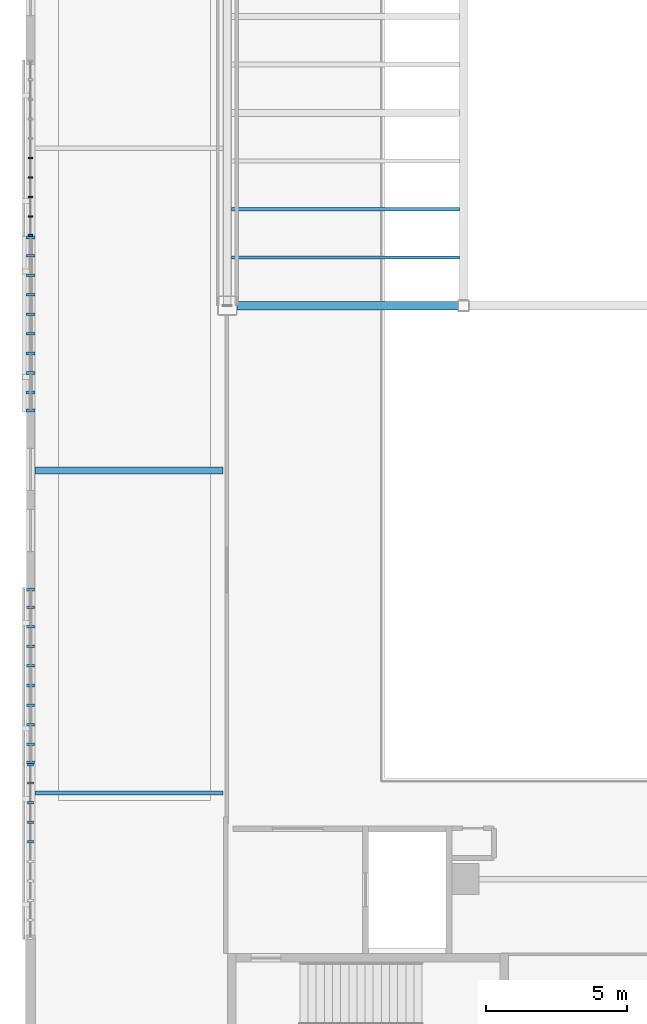
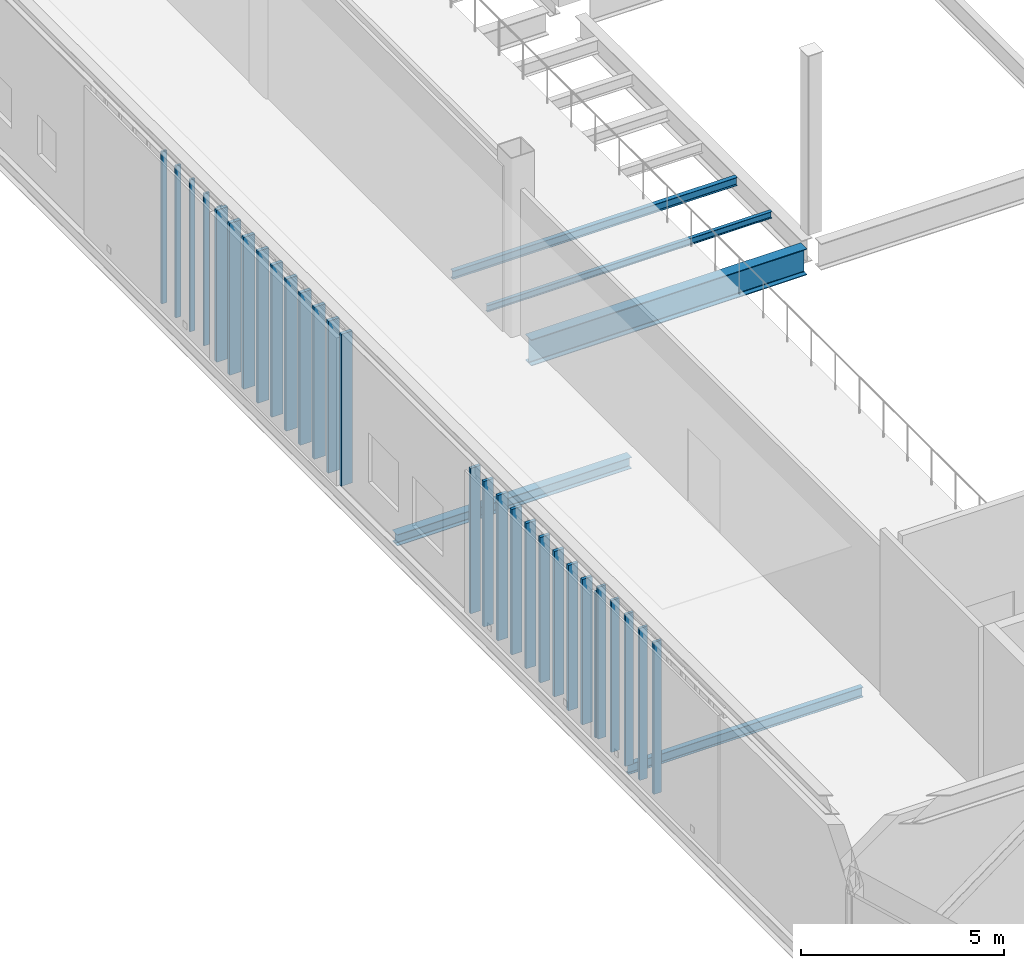
# One storey, part 20 of 127: 30 members, 5 beams, 4 elements without a shape of their own.
"""IFC4 building model written with IfcOpenShell, lengths in metres."""

from ifc_helpers import new_model, si_unit, direction, frame, origin, origin_2d, place, context, subcontext, project, spatial, rectangle, i_section, extrude, material, material_profile, profile_set, type_object, element, aggregate, save


model = new_model("IFC4")

# Units and contexts
model_context = context("Model", 3, precision=1e-05, world=origin(), true_north=direction((0.0, 1.0)))
body_context = subcontext(model_context, "Body", "Model", "MODEL_VIEW")
ifc_project = project(units=[si_unit("LENGTHUNIT", "METRE"), si_unit("AREAUNIT", "SQUARE_METRE"), si_unit("VOLUMEUNIT", "CUBIC_METRE"), si_unit("PLANEANGLEUNIT", "RADIAN"), si_unit("MASSUNIT", "GRAM", prefix="KILO")], contexts=[model_context])

# Site, building, storey
site_placement = place(None, origin())
site = spatial("IfcSite", under=ifc_project, at=site_placement, CompositionType="ELEMENT")
building_placement = place(site_placement, origin())
building = spatial("IfcBuilding", under=site, at=building_placement, Name="Larkvane Passage Sports Hall", CompositionType="ELEMENT")
storey_placement = place(building_placement, frame((0.0, 0.0, 5.39990234375)))
storey = spatial("IfcBuildingStorey", under=building, at=storey_placement, Name="L01", CompositionType="ELEMENT", Elevation=5.39990234375)

# Beam
ifc_material_1 = material(Name="Steel S460N", Category="steel")
ifc_material_profile_1 = material_profile(ifc_material_1, i_section(OverallWidth=0.300048828125, OverallDepth=0.7919921875, WebThickness=0.013916015625, FlangeThickness=0.02197265625, FilletRadius=0.02197265625, at=origin_2d()), Name="H-792x300x14x22")
ifc_profile_set_1 = profile_set([ifc_material_profile_1], Name="Steel S460N")
beam_type_1 = type_object("IfcBeamType", Name="BM-STL-H792", PredefinedType="BEAM", material=ifc_profile_set_1)
beam_1_placement = place(storey_placement, frame((35.14990234375, 51.60009765625, -0.81591796875), z_axis=(1.0, 0.0, 0.0), x_axis=(0.0, 1.0, 0.0)))
element("IfcBeam", 1, at=beam_1_placement, inside=storey, type_object=beam_type_1, Name="Girder BM5-X-L01-G-0400", PredefinedType="BEAM", context=body_context, shape_type="SweptSolid", body=[
    extrude(i_section(OverallWidth=0.300048828125, OverallDepth=0.7919921875, WebThickness=0.013916015625, FlangeThickness=0.02197265625, FilletRadius=0.02197265625, at=origin_2d()), origin(), (0.0, 0.0, 1.0), 7.85009765625),
])

# Curtain wall, members
ifc_material_2 = material(Name="Thermally broken aluminium and low-E glazing", Category="aluminium")
curtain_wall_type_1 = type_object("IfcCurtainWallType", Name="CW-CLINIC", PredefinedType="USERDEFINED", material=ifc_material_2)
curtain_wall_1_placement = place(storey_placement, origin())
curtain_wall_1 = element("IfcCurtainWall", 2, at=curtain_wall_1_placement, inside=storey, type_object=curtain_wall_type_1, Name="Curtain wall CW5-L01-035", ObjectType="UNITISED CURTAIN WALL", PredefinedType="USERDEFINED")
ifc_material_3 = material(Name="Anodised aluminium 6063-T6", Category="aluminium")
ifc_material_profile_2 = material_profile(ifc_material_3, rectangle(XDim=0.10009765625, YDim=0.320068359375, at=origin_2d()), Name="ALU-MUL-100x320")
ifc_profile_set_2 = profile_set([ifc_material_profile_2], Name="Anodised aluminium 6063-T6")
member_type_1 = type_object("IfcMemberType", Name="CW-MUL-100x320", PredefinedType="MULLION", material=ifc_profile_set_2)
member_1_placement = place(storey_placement, frame((27.800048828125, 47.8681640625, 0.0), z_axis=(0.0, 0.0, 1.0), x_axis=(0.0, 1.0, 0.0)))
member_1 = element("IfcMember", 3, at=member_1_placement, type_object=member_type_1, Name="CW-05 mullion 1", PredefinedType="MULLION", context=body_context, shape_type="SweptSolid", body=[
    extrude(rectangle(XDim=0.10009765625, YDim=0.320068359375, at=origin_2d()), origin(), (0.0, 0.0, 1.0), 4.578125),
])
member_2_placement = place(storey_placement, frame((27.800048828125, 48.51318359375, 0.0), z_axis=(0.0, 0.0, 1.0), x_axis=(0.0, 1.0, 0.0)))
member_2 = element("IfcMember", 4, at=member_2_placement, type_object=member_type_1, Name="CW-05 mullion 2", PredefinedType="MULLION", context=body_context, shape_type="SweptSolid", body=[
    extrude(rectangle(XDim=0.10009765625, YDim=0.320068359375, at=origin_2d()), origin(), (0.0, 0.0, 1.0), 4.578125),
])
member_3_placement = place(storey_placement, frame((27.800048828125, 49.2080078125, 0.0), z_axis=(0.0, 0.0, 1.0), x_axis=(0.0, 1.0, 0.0)))
member_3 = element("IfcMember", 5, at=member_3_placement, type_object=member_type_1, Name="CW-05 mullion 3", PredefinedType="MULLION", context=body_context, shape_type="SweptSolid", body=[
    extrude(rectangle(XDim=0.10009765625, YDim=0.320068359375, at=origin_2d()), origin(), (0.0, 0.0, 1.0), 4.578125),
])
member_4_placement = place(storey_placement, frame((27.800048828125, 49.903076171875, 0.0), z_axis=(0.0, 0.0, 1.0), x_axis=(0.0, 1.0, 0.0)))
member_4 = element("IfcMember", 6, at=member_4_placement, type_object=member_type_1, Name="CW-05 mullion 4", PredefinedType="MULLION", context=body_context, shape_type="SweptSolid", body=[
    extrude(rectangle(XDim=0.10009765625, YDim=0.320068359375, at=origin_2d()), origin(), (0.0, 0.0, 1.0), 4.578125),
])
member_5_placement = place(storey_placement, frame((27.800048828125, 50.597900390625, 0.0), z_axis=(0.0, 0.0, 1.0), x_axis=(0.0, 1.0, 0.0)))
member_5 = element("IfcMember", 7, at=member_5_placement, type_object=member_type_1, Name="CW-05 mullion 5", PredefinedType="MULLION", context=body_context, shape_type="SweptSolid", body=[
    extrude(rectangle(XDim=0.10009765625, YDim=0.320068359375, at=origin_2d()), origin(), (0.0, 0.0, 1.0), 4.578125),
])
member_6_placement = place(storey_placement, frame((27.800048828125, 51.29296875, 0.0), z_axis=(0.0, 0.0, 1.0), x_axis=(0.0, 1.0, 0.0)))
member_6 = element("IfcMember", 8, at=member_6_placement, type_object=member_type_1, Name="CW-05 mullion 6", PredefinedType="MULLION", context=body_context, shape_type="SweptSolid", body=[
    extrude(rectangle(XDim=0.10009765625, YDim=0.320068359375, at=origin_2d()), origin(), (0.0, 0.0, 1.0), 4.578125),
])
member_7_placement = place(storey_placement, frame((27.800048828125, 51.98779296875, 0.0), z_axis=(0.0, 0.0, 1.0), x_axis=(0.0, 1.0, 0.0)))
member_7 = element("IfcMember", 9, at=member_7_placement, type_object=member_type_1, Name="CW-05 mullion 7", PredefinedType="MULLION", context=body_context, shape_type="SweptSolid", body=[
    extrude(rectangle(XDim=0.10009765625, YDim=0.320068359375, at=origin_2d()), origin(), (0.0, 0.0, 1.0), 4.578125),
])
member_8_placement = place(storey_placement, frame((27.800048828125, 52.682861328125, 0.0), z_axis=(0.0, 0.0, 1.0), x_axis=(0.0, 1.0, 0.0)))
member_8 = element("IfcMember", 10, at=member_8_placement, type_object=member_type_1, Name="CW-05 mullion 8", PredefinedType="MULLION", context=body_context, shape_type="SweptSolid", body=[
    extrude(rectangle(XDim=0.10009765625, YDim=0.320068359375, at=origin_2d()), origin(), (0.0, 0.0, 1.0), 4.578125),
])
member_9_placement = place(storey_placement, frame((27.800048828125, 53.377685546875, 0.0), z_axis=(0.0, 0.0, 1.0), x_axis=(0.0, 1.0, 0.0)))
member_9 = element("IfcMember", 11, at=member_9_placement, type_object=member_type_1, Name="CW-05 mullion 9", PredefinedType="MULLION", context=body_context, shape_type="SweptSolid", body=[
    extrude(rectangle(XDim=0.10009765625, YDim=0.320068359375, at=origin_2d()), origin(), (0.0, 0.0, 1.0), 4.578125),
])
member_10_placement = place(storey_placement, frame((27.800048828125, 54.022705078125, 0.0), z_axis=(0.0, 0.0, 1.0), x_axis=(0.0, 1.0, 0.0)))
member_10 = element("IfcMember", 12, at=member_10_placement, type_object=member_type_1, Name="CW-05 mullion 10", PredefinedType="MULLION", context=body_context, shape_type="SweptSolid", body=[
    extrude(rectangle(XDim=0.10009765625, YDim=0.320068359375, at=origin_2d()), origin(), (0.0, 0.0, 1.0), 4.578125),
])
aggregate(curtain_wall_1, [member_1, member_2, member_3, member_4, member_5, member_6, member_7, member_8, member_9, member_10])

curtain_wall_type_2 = type_object("IfcCurtainWallType", Name="CW-UNIT-COURT", PredefinedType="USERDEFINED", material=ifc_material_2)
curtain_wall_2_placement = place(storey_placement, origin())
curtain_wall_2 = element("IfcCurtainWall", 13, at=curtain_wall_2_placement, inside=storey, type_object=curtain_wall_type_2, Name="Curtain wall CW5-L01-036", ObjectType="UNITISED CURTAIN WALL", PredefinedType="USERDEFINED")
ifc_material_profile_3 = material_profile(ifc_material_3, rectangle(XDim=0.06005859375, YDim=0.14990234375, at=origin_2d()), Name="ALU-MUL-60x150")
ifc_profile_set_3 = profile_set([ifc_material_profile_3], Name="Anodised aluminium 6063-T6")
member_type_2 = type_object("IfcMemberType", Name="CW-MUL-60x150", PredefinedType="MULLION", material=ifc_profile_set_3)
member_11_placement = place(storey_placement, frame((27.800048828125, 54.102783203125, 0.0), z_axis=(0.0, 0.0, 1.0), x_axis=(0.0, 1.0, 0.0)))
member_11 = element("IfcMember", 14, at=member_11_placement, type_object=member_type_2, Name="CW-01 mullion 1", PredefinedType="MULLION", context=body_context, shape_type="SweptSolid", body=[
    extrude(rectangle(XDim=0.06005859375, YDim=0.14990234375, at=origin_2d()), origin(), (0.0, 0.0, 1.0), 4.578125),
])
member_12_placement = place(storey_placement, frame((27.800048828125, 54.767578125, 0.0), z_axis=(0.0, 0.0, 1.0), x_axis=(0.0, 1.0, 0.0)))
member_12 = element("IfcMember", 15, at=member_12_placement, type_object=member_type_2, Name="CW-01 mullion 2", PredefinedType="MULLION", context=body_context, shape_type="SweptSolid", body=[
    extrude(rectangle(XDim=0.06005859375, YDim=0.14990234375, at=origin_2d()), origin(), (0.0, 0.0, 1.0), 4.578125),
])
member_13_placement = place(storey_placement, frame((27.800048828125, 55.462646484375, 0.0), z_axis=(0.0, 0.0, 1.0), x_axis=(0.0, 1.0, 0.0)))
member_13 = element("IfcMember", 16, at=member_13_placement, type_object=member_type_2, Name="CW-01 mullion 3", PredefinedType="MULLION", context=body_context, shape_type="SweptSolid", body=[
    extrude(rectangle(XDim=0.06005859375, YDim=0.14990234375, at=origin_2d()), origin(), (0.0, 0.0, 1.0), 4.578125),
])
member_14_placement = place(storey_placement, frame((27.800048828125, 56.157470703125, 0.0), z_axis=(0.0, 0.0, 1.0), x_axis=(0.0, 1.0, 0.0)))
member_14 = element("IfcMember", 17, at=member_14_placement, type_object=member_type_2, Name="CW-01 mullion 4", PredefinedType="MULLION", context=body_context, shape_type="SweptSolid", body=[
    extrude(rectangle(XDim=0.06005859375, YDim=0.14990234375, at=origin_2d()), origin(), (0.0, 0.0, 1.0), 4.578125),
])
member_15_placement = place(storey_placement, frame((27.800048828125, 56.8525390625, 0.0), z_axis=(0.0, 0.0, 1.0), x_axis=(0.0, 1.0, 0.0)))
member_15 = element("IfcMember", 18, at=member_15_placement, type_object=member_type_2, Name="CW-01 mullion 5", PredefinedType="MULLION", context=body_context, shape_type="SweptSolid", body=[
    extrude(rectangle(XDim=0.06005859375, YDim=0.14990234375, at=origin_2d()), origin(), (0.0, 0.0, 1.0), 4.578125),
])
aggregate(curtain_wall_2, [member_11, member_12, member_13, member_14, member_15])

curtain_wall_type_3 = type_object("IfcCurtainWallType", Name="CW-UNIT-VEIL", PredefinedType="USERDEFINED", material=ifc_material_2)
curtain_wall_3_placement = place(storey_placement, origin())
curtain_wall_3 = element("IfcCurtainWall", 19, at=curtain_wall_3_placement, inside=storey, type_object=curtain_wall_type_3, Name="Curtain wall CW5-L01-033", ObjectType="UNITISED CURTAIN WALL", PredefinedType="USERDEFINED")
ifc_material_profile_4 = material_profile(ifc_material_3, rectangle(XDim=0.074951171875, YDim=0.22509765625, at=origin_2d()), Name="ALU-MUL-75x225")
ifc_profile_set_4 = profile_set([ifc_material_profile_4], Name="Anodised aluminium 6063-T6")
member_type_3 = type_object("IfcMemberType", Name="CW-MUL-75x225", PredefinedType="MULLION", material=ifc_profile_set_4)
member_16_placement = place(storey_placement, frame((27.800048828125, 32.529296875, 0.0), z_axis=(0.0, 0.0, 1.0), x_axis=(0.0, 1.0, 0.0)))
member_16 = element("IfcMember", 20, at=member_16_placement, type_object=member_type_3, Name="CW-02 mullion 6", PredefinedType="MULLION", context=body_context, shape_type="SweptSolid", body=[
    extrude(rectangle(XDim=0.074951171875, YDim=0.22509765625, at=origin_2d()), origin(), (0.0, 0.0, 1.0), 4.578125),
])
member_17_placement = place(storey_placement, frame((27.800048828125, 33.22412109375, 0.0), z_axis=(0.0, 0.0, 1.0), x_axis=(0.0, 1.0, 0.0)))
member_17 = element("IfcMember", 21, at=member_17_placement, type_object=member_type_3, Name="CW-02 mullion 7", PredefinedType="MULLION", context=body_context, shape_type="SweptSolid", body=[
    extrude(rectangle(XDim=0.074951171875, YDim=0.22509765625, at=origin_2d()), origin(), (0.0, 0.0, 1.0), 4.578125),
])
member_18_placement = place(storey_placement, frame((27.800048828125, 33.919189453125, 0.0), z_axis=(0.0, 0.0, 1.0), x_axis=(0.0, 1.0, 0.0)))
member_18 = element("IfcMember", 22, at=member_18_placement, type_object=member_type_3, Name="CW-02 mullion 8", PredefinedType="MULLION", context=body_context, shape_type="SweptSolid", body=[
    extrude(rectangle(XDim=0.074951171875, YDim=0.22509765625, at=origin_2d()), origin(), (0.0, 0.0, 1.0), 4.578125),
])
member_19_placement = place(storey_placement, frame((27.800048828125, 34.6142578125, 0.0), z_axis=(0.0, 0.0, 1.0), x_axis=(0.0, 1.0, 0.0)))
member_19 = element("IfcMember", 23, at=member_19_placement, type_object=member_type_3, Name="CW-02 mullion 9", PredefinedType="MULLION", context=body_context, shape_type="SweptSolid", body=[
    extrude(rectangle(XDim=0.074951171875, YDim=0.22509765625, at=origin_2d()), origin(), (0.0, 0.0, 1.0), 4.578125),
])
member_20_placement = place(storey_placement, frame((27.800048828125, 35.271484375, 0.0), z_axis=(0.0, 0.0, 1.0), x_axis=(0.0, 1.0, 0.0)))
member_20 = element("IfcMember", 24, at=member_20_placement, type_object=member_type_3, Name="CW-02 mullion 10", PredefinedType="MULLION", context=body_context, shape_type="SweptSolid", body=[
    extrude(rectangle(XDim=0.074951171875, YDim=0.22509765625, at=origin_2d()), origin(), (0.0, 0.0, 1.0), 4.578125),
])
aggregate(curtain_wall_3, [member_16, member_17, member_18, member_19, member_20])

curtain_wall_type_4 = type_object("IfcCurtainWallType", Name="CW-STICK-FOYER", PredefinedType="USERDEFINED", material=ifc_material_2)
curtain_wall_4_placement = place(storey_placement, origin())
curtain_wall_4 = element("IfcCurtainWall", 25, at=curtain_wall_4_placement, inside=storey, type_object=curtain_wall_type_4, Name="Curtain wall CW5-L01-034", ObjectType="STICK CURTAIN WALL", PredefinedType="USERDEFINED")
ifc_material_profile_5 = material_profile(ifc_material_3, rectangle(XDim=0.090087890625, YDim=0.280029296875, at=origin_2d()), Name="ALU-MUL-90x280")
ifc_profile_set_5 = profile_set([ifc_material_profile_5], Name="Anodised aluminium 6063-T6")
member_type_4 = type_object("IfcMemberType", Name="CW-MUL-90x280", PredefinedType="MULLION", material=ifc_profile_set_5)
member_21_placement = place(storey_placement, frame((27.800048828125, 35.35400390625, 0.0), z_axis=(0.0, 0.0, 1.0), x_axis=(0.0, 1.0, 0.0)))
member_21 = element("IfcMember", 26, at=member_21_placement, type_object=member_type_4, Name="CW-03 mullion 1", PredefinedType="MULLION", context=body_context, shape_type="SweptSolid", body=[
    extrude(rectangle(XDim=0.090087890625, YDim=0.280029296875, at=origin_2d()), origin(), (0.0, 0.0, 1.0), 4.380126953125),
])
member_22_placement = place(storey_placement, frame((27.800048828125, 36.004150390625, 0.0), z_axis=(0.0, 0.0, 1.0), x_axis=(0.0, 1.0, 0.0)))
member_22 = element("IfcMember", 27, at=member_22_placement, type_object=member_type_4, Name="CW-03 mullion 2", PredefinedType="MULLION", context=body_context, shape_type="SweptSolid", body=[
    extrude(rectangle(XDim=0.090087890625, YDim=0.280029296875, at=origin_2d()), origin(), (0.0, 0.0, 1.0), 4.380126953125),
])
member_23_placement = place(storey_placement, frame((27.800048828125, 36.698974609375, 0.0), z_axis=(0.0, 0.0, 1.0), x_axis=(0.0, 1.0, 0.0)))
member_23 = element("IfcMember", 28, at=member_23_placement, type_object=member_type_4, Name="CW-03 mullion 3", PredefinedType="MULLION", context=body_context, shape_type="SweptSolid", body=[
    extrude(rectangle(XDim=0.090087890625, YDim=0.280029296875, at=origin_2d()), origin(), (0.0, 0.0, 1.0), 4.380126953125),
])
member_24_placement = place(storey_placement, frame((27.800048828125, 37.39404296875, 0.0), z_axis=(0.0, 0.0, 1.0), x_axis=(0.0, 1.0, 0.0)))
member_24 = element("IfcMember", 29, at=member_24_placement, type_object=member_type_4, Name="CW-03 mullion 4", PredefinedType="MULLION", context=body_context, shape_type="SweptSolid", body=[
    extrude(rectangle(XDim=0.090087890625, YDim=0.280029296875, at=origin_2d()), origin(), (0.0, 0.0, 1.0), 4.380126953125),
])
member_25_placement = place(storey_placement, frame((27.800048828125, 38.0888671875, 0.0), z_axis=(0.0, 0.0, 1.0), x_axis=(0.0, 1.0, 0.0)))
member_25 = element("IfcMember", 30, at=member_25_placement, type_object=member_type_4, Name="CW-03 mullion 5", PredefinedType="MULLION", context=body_context, shape_type="SweptSolid", body=[
    extrude(rectangle(XDim=0.090087890625, YDim=0.280029296875, at=origin_2d()), origin(), (0.0, 0.0, 1.0), 4.380126953125),
])
member_26_placement = place(storey_placement, frame((27.800048828125, 38.783935546875, 0.0), z_axis=(0.0, 0.0, 1.0), x_axis=(0.0, 1.0, 0.0)))
member_26 = element("IfcMember", 31, at=member_26_placement, type_object=member_type_4, Name="CW-03 mullion 6", PredefinedType="MULLION", context=body_context, shape_type="SweptSolid", body=[
    extrude(rectangle(XDim=0.090087890625, YDim=0.280029296875, at=origin_2d()), origin(), (0.0, 0.0, 1.0), 4.380126953125),
])
member_27_placement = place(storey_placement, frame((27.800048828125, 39.478759765625, 0.0), z_axis=(0.0, 0.0, 1.0), x_axis=(0.0, 1.0, 0.0)))
member_27 = element("IfcMember", 32, at=member_27_placement, type_object=member_type_4, Name="CW-03 mullion 7", PredefinedType="MULLION", context=body_context, shape_type="SweptSolid", body=[
    extrude(rectangle(XDim=0.090087890625, YDim=0.280029296875, at=origin_2d()), origin(), (0.0, 0.0, 1.0), 4.380126953125),
])
member_28_placement = place(storey_placement, frame((27.800048828125, 40.173828125, 0.0), z_axis=(0.0, 0.0, 1.0), x_axis=(0.0, 1.0, 0.0)))
member_28 = element("IfcMember", 33, at=member_28_placement, type_object=member_type_4, Name="CW-03 mullion 8", PredefinedType="MULLION", context=body_context, shape_type="SweptSolid", body=[
    extrude(rectangle(XDim=0.090087890625, YDim=0.280029296875, at=origin_2d()), origin(), (0.0, 0.0, 1.0), 4.380126953125),
])
member_29_placement = place(storey_placement, frame((27.800048828125, 40.86865234375, 0.0), z_axis=(0.0, 0.0, 1.0), x_axis=(0.0, 1.0, 0.0)))
member_29 = element("IfcMember", 34, at=member_29_placement, type_object=member_type_4, Name="CW-03 mullion 9", PredefinedType="MULLION", context=body_context, shape_type="SweptSolid", body=[
    extrude(rectangle(XDim=0.090087890625, YDim=0.280029296875, at=origin_2d()), origin(), (0.0, 0.0, 1.0), 4.380126953125),
])
member_30_placement = place(storey_placement, frame((27.800048828125, 41.5185546875, 0.0), z_axis=(0.0, 0.0, 1.0), x_axis=(0.0, 1.0, 0.0)))
member_30 = element("IfcMember", 35, at=member_30_placement, type_object=member_type_4, Name="CW-03 mullion 10", PredefinedType="MULLION", context=body_context, shape_type="SweptSolid", body=[
    extrude(rectangle(XDim=0.090087890625, YDim=0.280029296875, at=origin_2d()), origin(), (0.0, 0.0, 1.0), 4.380126953125),
])
aggregate(curtain_wall_4, [member_21, member_22, member_23, member_24, member_25, member_26, member_27, member_28, member_29, member_30])

# Beams
ifc_material_4 = material(Name="Steel S355JR", Category="steel")
ifc_material_profile_6 = material_profile(ifc_material_4, i_section(OverallWidth=0.10009765625, OverallDepth=0.199951171875, WebThickness=0.005615234375, FlangeThickness=0.008056640625, FilletRadius=0.008056640625, at=origin_2d()), Name="H-200x100x5.5x8")
ifc_profile_set_6 = profile_set([ifc_material_profile_6], Name="Steel S355JR")
beam_type_2 = type_object("IfcBeamType", Name="JST-STL-H200", PredefinedType="JOIST", material=ifc_profile_set_6)
beam_2_placement = place(storey_placement, frame((34.949951171875, 53.314208984375, -0.52001953125), z_axis=(1.0, 0.0, 0.0), x_axis=(0.0, 1.0, 0.0)))
element("IfcBeam", 36, at=beam_2_placement, inside=storey, type_object=beam_type_2, Name="Composite joist L01 6/G-1", PredefinedType="JOIST", context=body_context, shape_type="SweptSolid", body=[
    extrude(i_section(OverallWidth=0.10009765625, OverallDepth=0.199951171875, WebThickness=0.005615234375, FlangeThickness=0.008056640625, FilletRadius=0.008056640625, at=origin_2d()), origin(), (0.0, 0.0, 1.0), 8.10009765625),
])
ifc_material_profile_7 = material_profile(ifc_material_4, i_section(OverallWidth=0.125, OverallDepth=0.25, WebThickness=0.006103515625, FlangeThickness=0.009033203125, FilletRadius=0.008056640625, at=origin_2d()), Name="H-250x125x6x9")
ifc_profile_set_7 = profile_set([ifc_material_profile_7], Name="Steel S355JR")
beam_type_3 = type_object("IfcBeamType", Name="JST-STL-H250", PredefinedType="JOIST", material=ifc_profile_set_7)
beam_3_placement = place(storey_placement, frame((34.949951171875, 55.028564453125, -0.544921875), z_axis=(1.0, 0.0, 0.0), x_axis=(0.0, 1.0, 0.0)))
element("IfcBeam", 37, at=beam_3_placement, inside=storey, type_object=beam_type_3, Name="Composite joist L01 6/G-2", PredefinedType="JOIST", context=body_context, shape_type="SweptSolid", body=[
    extrude(i_section(OverallWidth=0.125, OverallDepth=0.25, WebThickness=0.006103515625, FlangeThickness=0.009033203125, FilletRadius=0.008056640625, at=origin_2d()), origin(), (0.0, 0.0, 1.0), 8.10009765625),
])
ifc_material_profile_8 = material_profile(ifc_material_4, i_section(OverallWidth=0.14990234375, OverallDepth=0.300048828125, WebThickness=0.006591796875, FlangeThickness=0.009033203125, FilletRadius=0.012939453125, at=origin_2d()), Name="H-300x150x6.5x9")
ifc_profile_set_8 = profile_set([ifc_material_profile_8], Name="Steel S355JR")
beam_type_4 = type_object("IfcBeamType", Name="JST-STL-H300", PredefinedType="JOIST", material=ifc_profile_set_8)
beam_4_placement = place(storey_placement, frame((27.9599609375, 34.2666015625, -0.3798828125), z_axis=(1.0, 0.0, 0.0), x_axis=(0.0, 1.0, 0.0)))
element("IfcBeam", 38, at=beam_4_placement, inside=storey, type_object=beam_type_4, Name="Cantilever floor joist CT-W1A--1-1", PredefinedType="JOIST", context=body_context, shape_type="SweptSolid", body=[
    extrude(i_section(OverallWidth=0.14990234375, OverallDepth=0.300048828125, WebThickness=0.006591796875, FlangeThickness=0.009033203125, FilletRadius=0.012939453125, at=origin_2d()), origin(), (0.0, 0.0, 1.0), 6.679931640625),
])
ifc_material_profile_9 = material_profile(ifc_material_4, i_section(OverallWidth=0.25, OverallDepth=0.340087890625, WebThickness=0.009033203125, FlangeThickness=0.013916015625, FilletRadius=0.012939453125, at=origin_2d()), Name="H-340x250x9x14")
ifc_profile_set_9 = profile_set([ifc_material_profile_9], Name="Steel S355JR")
beam_type_5 = type_object("IfcBeamType", Name="JST-STL-H340", PredefinedType="JOIST", material=ifc_profile_set_9)
beam_5_placement = place(storey_placement, frame((27.9599609375, 45.7333984375, -0.39990234375), z_axis=(1.0, 0.0, 0.0), x_axis=(0.0, 1.0, 0.0)))
element("IfcBeam", 39, at=beam_5_placement, inside=storey, type_object=beam_type_5, Name="Cantilever floor joist CT-W1A--1-2", PredefinedType="JOIST", context=body_context, shape_type="SweptSolid", body=[
    extrude(i_section(OverallWidth=0.25, OverallDepth=0.340087890625, WebThickness=0.009033203125, FlangeThickness=0.013916015625, FilletRadius=0.012939453125, at=origin_2d()), origin(), (0.0, 0.0, 1.0), 6.679931640625),
])

save(model, "model.ifc")
